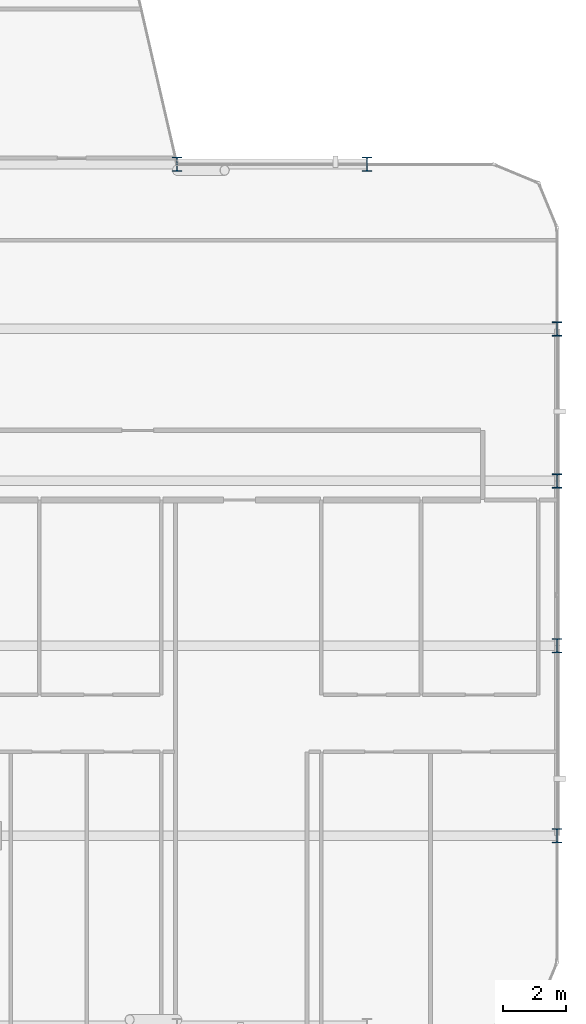
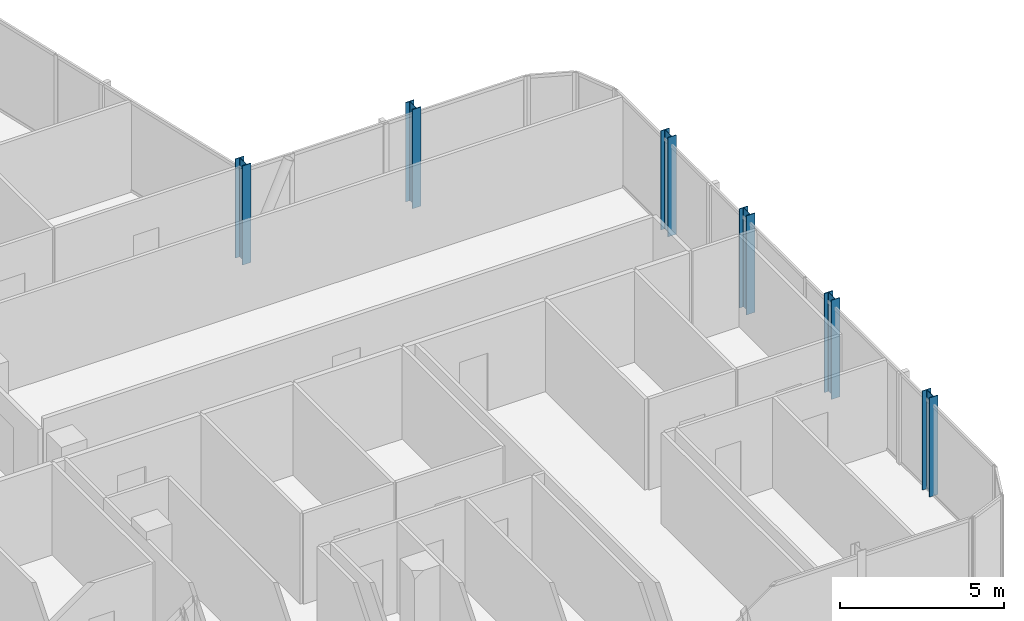
# One storey, part 2 of 29: 6 columns.
"""IFC4 building model written with IfcOpenShell, lengths in metres."""

from ifc_helpers import new_model, si_unit, direction, frame, origin, origin_2d, place, context, subcontext, project, spatial, i_section, extrude, material, material_profile, profile_set, type_object, element, save


model = new_model("IFC4")

# Units and contexts
model_context = context("Model", 3, precision=1e-05, world=origin(), true_north=direction((0.0, 1.0)))
body_context = subcontext(model_context, "Body", "Model", "MODEL_VIEW")
ifc_project = project(units=[si_unit("LENGTHUNIT", "METRE"), si_unit("AREAUNIT", "SQUARE_METRE"), si_unit("VOLUMEUNIT", "CUBIC_METRE"), si_unit("PLANEANGLEUNIT", "RADIAN"), si_unit("MASSUNIT", "GRAM", prefix="KILO")], contexts=[model_context])

# Site, building, storey
site_placement = place(None, origin())
site = spatial("IfcSite", under=ifc_project, at=site_placement, CompositionType="ELEMENT")
building_placement = place(site_placement, origin())
building = spatial("IfcBuilding", under=site, at=building_placement, Name="Keshet Zoharim Tower", CompositionType="ELEMENT")
storey_placement = place(building_placement, frame((0.0, 0.0, 172.800048828125)))
storey = spatial("IfcBuildingStorey", under=building, at=storey_placement, Name="L42", CompositionType="ELEMENT", Elevation=172.800048828125)

# Columns
ifc_material = material(Name="Steel S355", Category="steel")
ifc_material_profile = material_profile(ifc_material, i_section(OverallWidth=0.300048828125, OverallDepth=0.449951171875, WebThickness=0.013916015625, FlangeThickness=0.02587890625, FilletRadius=0.027099609375, at=origin_2d()), Name="HEB450")
ifc_profile_set = profile_set([ifc_material_profile], Name="Steel S355")
column_type = type_object("IfcColumnType", Name="COL-HEB450", PredefinedType="COLUMN", material=ifc_profile_set)
for number, where, z_axis, x_axis, name in (
    (1, (45.0, 27.89990234375, 0.0), (0.0, 0.0, 1.0), (1.0, 0.0, 0.0), "L42 Column 8F"),
    (2, (51.0, 27.89990234375, 0.0), (0.0, 0.0, 1.0), (1.0, 0.0, 0.0), "L42 Column 9F"),
    (3, (57.0, 6.699951171875, 0.0), (0.0, 0.0, 1.0), (1.0, 0.0, 0.0), "L42 Column 10B"),
    (4, (57.0, 12.699951171875, 0.0), (0.0, 0.0, 1.0), (1.0, 0.0, 0.0), "L42 Column 10C"),
    (5, (57.0, 17.89990234375, 0.0), (0.0, 0.0, 1.0), (1.0, 0.0, 0.0), "L42 Column 10D"),
    (6, (57.0, 22.699951171875, 0.0), (0.0, 0.0, 1.0), (1.0, 0.0, 0.0), "L42 Column 10E"),
):
    element("IfcColumn", number, at=place(storey_placement, frame(where, z_axis=z_axis, x_axis=x_axis)), inside=storey, type_object=column_type, Name=name, PredefinedType="COLUMN", context=body_context, shape_type="SweptSolid", body=[
        extrude(i_section(OverallWidth=0.300048828125, OverallDepth=0.449951171875, WebThickness=0.013916015625, FlangeThickness=0.02587890625, FilletRadius=0.027099609375, at=origin_2d()), origin(), (0.0, 0.0, 1.0), 3.699951171875),
    ])

save(model, "model.ifc")
